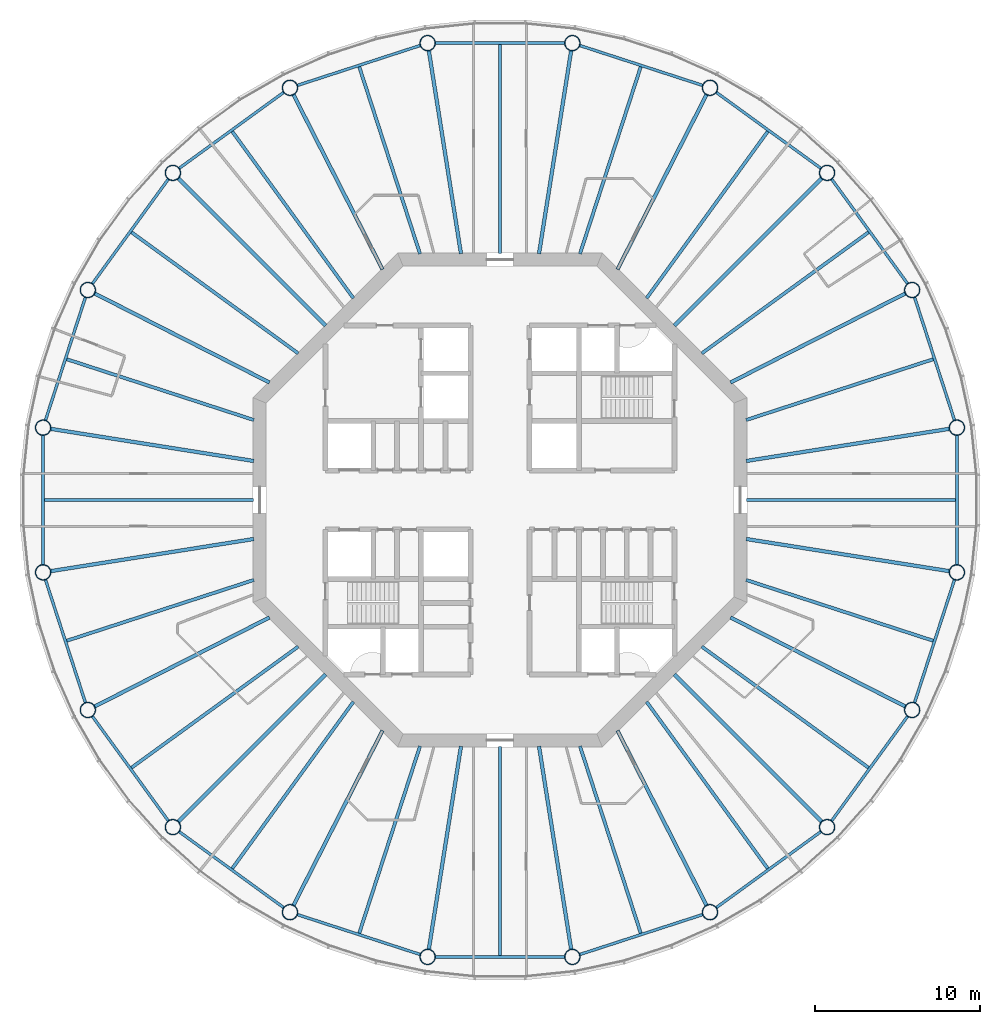
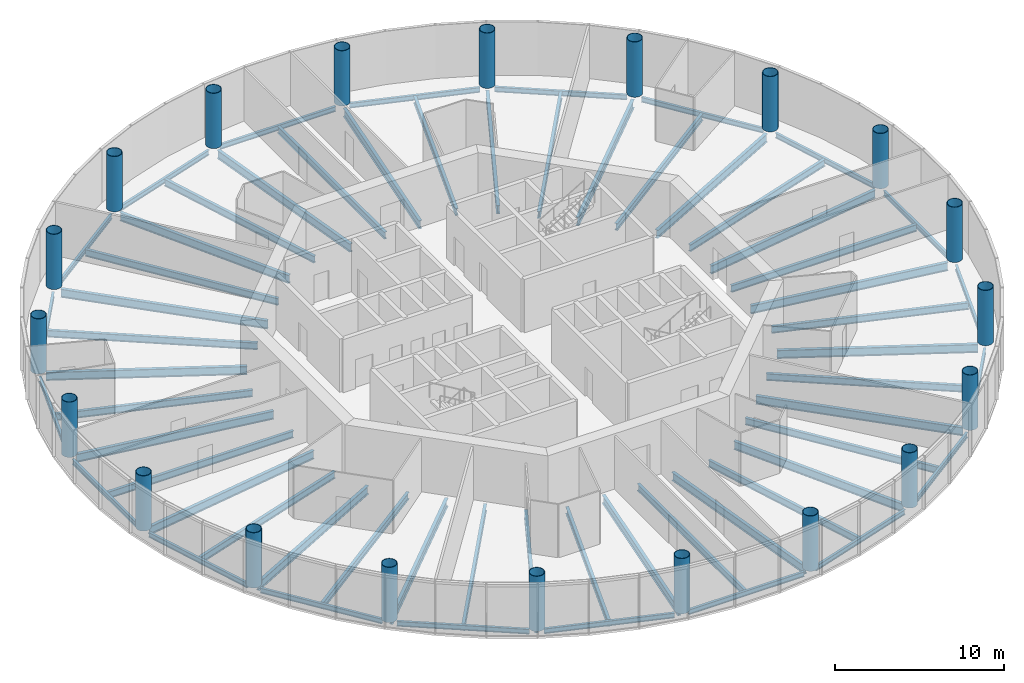
# One storey, part 1 of 13: 60 beams, 20 columns.
"""IFC4 building model written with IfcOpenShell, lengths in metres."""

from ifc_helpers import new_model, si_unit, direction, frame, origin, origin_2d, place, context, subcontext, project, spatial, circle, hollow_circle, i_section, extrude, material, material_profile, profile_set, type_object, element, save


model = new_model("IFC4")

# Units and contexts
model_context = context("Model", 3, precision=1e-05, world=origin(), true_north=direction((0.0, 1.0)))
body_context = subcontext(model_context, "Body", "Model", "MODEL_VIEW")
ifc_project = project(units=[si_unit("LENGTHUNIT", "METRE"), si_unit("AREAUNIT", "SQUARE_METRE"), si_unit("VOLUMEUNIT", "CUBIC_METRE"), si_unit("PLANEANGLEUNIT", "RADIAN"), si_unit("MASSUNIT", "GRAM", prefix="KILO")], contexts=[model_context])

# Site, building, storey
site_placement = place(None, origin())
site = spatial("IfcSite", under=ifc_project, at=site_placement, CompositionType="ELEMENT")
building_placement = place(site_placement, origin())
building = spatial("IfcBuilding", under=site, at=building_placement, Name="Entoto Ring Tower", CompositionType="ELEMENT")
storey_placement = place(building_placement, frame((0.0, 0.0, 286.0)))
storey = spatial("IfcBuildingStorey", under=building, at=storey_placement, Name="L65", CompositionType="ELEMENT", Elevation=286.0)

# Columns
ifc_material_1 = material(Name="Steel S355", Category="steel")
ifc_material_profile_1 = material_profile(ifc_material_1, hollow_circle(Radius=0.47509765625, WallThickness=0.034912109375, at=origin_2d()), Name="CHS 950 x 35")
ifc_material_2 = material(Name="Concrete C60/75", Category="concrete")
ifc_material_profile_2 = material_profile(ifc_material_2, circle(Radius=0.43994140625, at=origin_2d()), Name="Concrete C60/75 infill")
ifc_profile_set_1 = profile_set([ifc_material_profile_1, ifc_material_profile_2], Name="Steel S355")
column_type = type_object("IfcColumnType", Name="Ring column 950 x 35 concrete-filled tube", PredefinedType="COLUMN", material=ifc_profile_set_1)
for number, where, z_axis, x_axis, name in (
    (1, (117.754150390625, 84.395751953125, 0.0), (0.0, 0.0, 1.0), (1.0, 0.0, 0.0), "RC5 R01"),
    (2, (115.037353515625, 92.757080078125, 0.0), (0.0, 0.0, 1.0), (1.0, 0.0, 0.0), "RC5 R02"),
    (3, (109.86962890625, 99.86962890625, 0.0), (0.0, 0.0, 1.0), (1.0, 0.0, 0.0), "RC5 R03"),
    (4, (102.757080078125, 105.037353515625, 0.0), (0.0, 0.0, 1.0), (1.0, 0.0, 0.0), "RC5 R04"),
    (5, (94.395751953125, 107.754150390625, 0.0), (0.0, 0.0, 1.0), (1.0, 0.0, 0.0), "RC5 R05"),
    (6, (85.604248046875, 107.754150390625, 0.0), (0.0, 0.0, 1.0), (1.0, 0.0, 0.0), "RC5 R06"),
    (7, (77.242919921875, 105.037353515625, 0.0), (0.0, 0.0, 1.0), (1.0, 0.0, 0.0), "RC5 R07"),
    (8, (70.13037109375, 99.86962890625, 0.0), (0.0, 0.0, 1.0), (1.0, 0.0, 0.0), "RC5 R08"),
    (9, (64.962646484375, 92.757080078125, 0.0), (0.0, 0.0, 1.0), (1.0, 0.0, 0.0), "RC5 R09"),
    (10, (62.245849609375, 84.395751953125, 0.0), (0.0, 0.0, 1.0), (1.0, 0.0, 0.0), "RC5 R10"),
    (11, (62.245849609375, 75.604248046875, 0.0), (0.0, 0.0, 1.0), (1.0, 0.0, 0.0), "RC5 R11"),
    (12, (64.962646484375, 67.242919921875, 0.0), (0.0, 0.0, 1.0), (1.0, 0.0, 0.0), "RC5 R12"),
    (13, (70.13037109375, 60.13037109375, 0.0), (0.0, 0.0, 1.0), (1.0, 0.0, 0.0), "RC5 R13"),
    (14, (77.242919921875, 54.962646484375, 0.0), (0.0, 0.0, 1.0), (1.0, 0.0, 0.0), "RC5 R14"),
    (15, (85.604248046875, 52.245849609375, 0.0), (0.0, 0.0, 1.0), (1.0, 0.0, 0.0), "RC5 R15"),
    (16, (94.395751953125, 52.245849609375, 0.0), (0.0, 0.0, 1.0), (1.0, 0.0, 0.0), "RC5 R16"),
    (17, (102.757080078125, 54.962646484375, 0.0), (0.0, 0.0, 1.0), (1.0, 0.0, 0.0), "RC5 R17"),
    (18, (109.86962890625, 60.13037109375, 0.0), (0.0, 0.0, 1.0), (1.0, 0.0, 0.0), "RC5 R18"),
    (19, (115.037353515625, 67.242919921875, 0.0), (0.0, 0.0, 1.0), (1.0, 0.0, 0.0), "RC5 R19"),
    (20, (117.754150390625, 75.604248046875, 0.0), (0.0, 0.0, 1.0), (1.0, 0.0, 0.0), "RC5 R20"),
):
    element("IfcColumn", number, at=place(storey_placement, frame(where, z_axis=z_axis, x_axis=x_axis)), inside=storey, type_object=column_type, Name=name, PredefinedType="COLUMN", context=body_context, shape_type="SweptSolid", body=[
        extrude(hollow_circle(Radius=0.47509765625, WallThickness=0.034912109375, at=origin_2d()), origin(), (0.0, 0.0, 1.0), 4.0),
    ])

# Beams
ifc_material_3 = material(Name="Steel S355", Category="steel")
ifc_material_profile_3 = material_profile(ifc_material_3, i_section(OverallWidth=0.169921875, OverallDepth=0.360107421875, WebThickness=0.008056640625, FlangeThickness=0.0126953125, FilletRadius=0.01806640625, at=origin_2d()), Name="IPE 360")
ifc_profile_set_2 = profile_set([ifc_material_profile_3], Name="Steel S355")
beam_type_1 = type_object("IfcBeamType", Name="Edge beam IPE 360", PredefinedType="SPANDREL", material=ifc_profile_set_2)
beam_1_placement = place(storey_placement, frame((117.61572265625, 84.8212890625, -0.330078125), z_axis=(-0.309002883506, 0.951061101079, 0.0), x_axis=(-0.951061101079, -0.309002883506, 0.0)))
element("IfcBeam", 21, at=beam_1_placement, inside=storey, type_object=beam_type_1, Name="Edge beam L65 01", PredefinedType="SPANDREL", context=body_context, shape_type="SweptSolid", body=[
    extrude(i_section(OverallWidth=0.169921875, OverallDepth=0.360107421875, WebThickness=0.008056640625, FlangeThickness=0.0126953125, FilletRadius=0.01806640625, at=origin_2d()), origin(), (0.0, 0.0, 1.0), 7.89697265625),
])
for number, where, z_axis, x_axis, name in (
    (22, (114.7744140625, 93.118896484375, -0.330078125), (-0.587787449408, 0.809015398073, 0.0), (-0.809015398073, -0.587787449408, 0.0), "Edge beam L65 02"),
    (23, (109.5078125, 100.132568359375, -0.330078125), (-0.809015398073, 0.587787449408, 0.0), (-0.587787449408, -0.809015398073, 0.0), "Edge beam L65 03"),
):
    element("IfcBeam", number, at=place(storey_placement, frame(where, z_axis=z_axis, x_axis=x_axis)), inside=storey, type_object=beam_type_1, Name=name, PredefinedType="SPANDREL", context=body_context, shape_type="SweptSolid", body=[
        extrude(i_section(OverallWidth=0.169921875, OverallDepth=0.360107421875, WebThickness=0.008056640625, FlangeThickness=0.0126953125, FilletRadius=0.01806640625, at=origin_2d()), origin(), (0.0, 0.0, 1.0), 7.897216796875),
    ])
for number, where, z_axis, x_axis, name in (
    (24, (102.331787109375, 105.175537109375, -0.330078125), (-0.951061101079, 0.309002883506, 0.0), (-0.309002883506, -0.951061101079, 0.0), "Edge beam L65 04"),
    (25, (93.948486328125, 107.754150390625, -0.330078125), (-1.0, 0.0, 0.0), (0.0, -1.0, 0.0), "Edge beam L65 05"),
    (26, (85.1787109375, 107.61572265625, -0.330078125), (-0.951061101079, -0.309002883506, 0.0), (0.309002883506, -0.951061101079, 0.0), "Edge beam L65 06"),
):
    element("IfcBeam", number, at=place(storey_placement, frame(where, z_axis=z_axis, x_axis=x_axis)), inside=storey, type_object=beam_type_1, Name=name, PredefinedType="SPANDREL", context=body_context, shape_type="SweptSolid", body=[
        extrude(i_section(OverallWidth=0.169921875, OverallDepth=0.360107421875, WebThickness=0.008056640625, FlangeThickness=0.0126953125, FilletRadius=0.01806640625, at=origin_2d()), origin(), (0.0, 0.0, 1.0), 7.89697265625),
    ])
for number, where, z_axis, x_axis, name in (
    (27, (76.881103515625, 104.7744140625, -0.330078125), (-0.809015398073, -0.587787449408, 0.0), (0.587787449408, -0.809015398073, 0.0), "Edge beam L65 07"),
    (28, (69.867431640625, 99.5078125, -0.330078125), (-0.587787449408, -0.809015398073, 0.0), (0.809015398073, -0.587787449408, 0.0), "Edge beam L65 08"),
):
    element("IfcBeam", number, at=place(storey_placement, frame(where, z_axis=z_axis, x_axis=x_axis)), inside=storey, type_object=beam_type_1, Name=name, PredefinedType="SPANDREL", context=body_context, shape_type="SweptSolid", body=[
        extrude(i_section(OverallWidth=0.169921875, OverallDepth=0.360107421875, WebThickness=0.008056640625, FlangeThickness=0.0126953125, FilletRadius=0.01806640625, at=origin_2d()), origin(), (0.0, 0.0, 1.0), 7.897216796875),
    ])
for number, where, z_axis, x_axis, name in (
    (29, (64.824462890625, 92.331787109375, -0.330078125), (-0.309002883506, -0.951061101079, 0.0), (0.951061101079, -0.309002883506, 0.0), "Edge beam L65 09"),
    (30, (62.245849609375, 83.948486328125, -0.330078125), (0.0, -1.0, 0.0), (1.0, 0.0, 0.0), "Edge beam L65 10"),
    (31, (62.38427734375, 75.1787109375, -0.330078125), (0.309002883506, -0.951061101079, 0.0), (0.951061101079, 0.309002883506, 0.0), "Edge beam L65 11"),
):
    element("IfcBeam", number, at=place(storey_placement, frame(where, z_axis=z_axis, x_axis=x_axis)), inside=storey, type_object=beam_type_1, Name=name, PredefinedType="SPANDREL", context=body_context, shape_type="SweptSolid", body=[
        extrude(i_section(OverallWidth=0.169921875, OverallDepth=0.360107421875, WebThickness=0.008056640625, FlangeThickness=0.0126953125, FilletRadius=0.01806640625, at=origin_2d()), origin(), (0.0, 0.0, 1.0), 7.89697265625),
    ])
for number, where, z_axis, x_axis, name in (
    (32, (65.2255859375, 66.881103515625, -0.330078125), (0.587787449408, -0.809015398073, 0.0), (0.809015398073, 0.587787449408, 0.0), "Edge beam L65 12"),
    (33, (70.4921875, 59.867431640625, -0.330078125), (0.809015398073, -0.587787449408, 0.0), (0.587787449408, 0.809015398073, 0.0), "Edge beam L65 13"),
):
    element("IfcBeam", number, at=place(storey_placement, frame(where, z_axis=z_axis, x_axis=x_axis)), inside=storey, type_object=beam_type_1, Name=name, PredefinedType="SPANDREL", context=body_context, shape_type="SweptSolid", body=[
        extrude(i_section(OverallWidth=0.169921875, OverallDepth=0.360107421875, WebThickness=0.008056640625, FlangeThickness=0.0126953125, FilletRadius=0.01806640625, at=origin_2d()), origin(), (0.0, 0.0, 1.0), 7.897216796875),
    ])
for number, where, z_axis, x_axis, name in (
    (34, (77.668212890625, 54.824462890625, -0.330078125), (0.951061101079, -0.309002883506, 0.0), (0.309002883506, 0.951061101079, 0.0), "Edge beam L65 14"),
    (35, (86.051513671875, 52.245849609375, -0.330078125), (1.0, 0.0, 0.0), (0.0, 1.0, 0.0), "Edge beam L65 15"),
    (36, (94.8212890625, 52.38427734375, -0.330078125), (0.951061101079, 0.309002883506, 0.0), (-0.309002883506, 0.951061101079, 0.0), "Edge beam L65 16"),
):
    element("IfcBeam", number, at=place(storey_placement, frame(where, z_axis=z_axis, x_axis=x_axis)), inside=storey, type_object=beam_type_1, Name=name, PredefinedType="SPANDREL", context=body_context, shape_type="SweptSolid", body=[
        extrude(i_section(OverallWidth=0.169921875, OverallDepth=0.360107421875, WebThickness=0.008056640625, FlangeThickness=0.0126953125, FilletRadius=0.01806640625, at=origin_2d()), origin(), (0.0, 0.0, 1.0), 7.89697265625),
    ])
for number, where, z_axis, x_axis, name in (
    (37, (103.118896484375, 55.2255859375, -0.330078125), (0.809015398073, 0.587787449408, 0.0), (-0.587787449408, 0.809015398073, 0.0), "Edge beam L65 17"),
    (38, (110.132568359375, 60.4921875, -0.330078125), (0.587787449408, 0.809015398073, 0.0), (-0.809015398073, 0.587787449408, 0.0), "Edge beam L65 18"),
):
    element("IfcBeam", number, at=place(storey_placement, frame(where, z_axis=z_axis, x_axis=x_axis)), inside=storey, type_object=beam_type_1, Name=name, PredefinedType="SPANDREL", context=body_context, shape_type="SweptSolid", body=[
        extrude(i_section(OverallWidth=0.169921875, OverallDepth=0.360107421875, WebThickness=0.008056640625, FlangeThickness=0.0126953125, FilletRadius=0.01806640625, at=origin_2d()), origin(), (0.0, 0.0, 1.0), 7.897216796875),
    ])
for number, where, z_axis, x_axis, name in (
    (39, (115.175537109375, 67.668212890625, -0.330078125), (0.309002883506, 0.951061101079, 0.0), (-0.951061101079, 0.309002883506, 0.0), "Edge beam L65 19"),
    (40, (117.754150390625, 76.051513671875, -0.330078125), (0.0, 1.0, 0.0), (-1.0, 0.0, 0.0), "Edge beam L65 20"),
):
    element("IfcBeam", number, at=place(storey_placement, frame(where, z_axis=z_axis, x_axis=x_axis)), inside=storey, type_object=beam_type_1, Name=name, PredefinedType="SPANDREL", context=body_context, shape_type="SweptSolid", body=[
        extrude(i_section(OverallWidth=0.169921875, OverallDepth=0.360107421875, WebThickness=0.008056640625, FlangeThickness=0.0126953125, FilletRadius=0.01806640625, at=origin_2d()), origin(), (0.0, 0.0, 1.0), 7.89697265625),
    ])
ifc_material_4 = material(Name="Steel S355", Category="steel")
ifc_material_profile_4 = material_profile(ifc_material_4, i_section(OverallWidth=0.219970703125, OverallDepth=0.60009765625, WebThickness=0.011962890625, FlangeThickness=0.01904296875, FilletRadius=0.02392578125, at=origin_2d()), Name="IPE 600")
ifc_profile_set_3 = profile_set([ifc_material_profile_4], Name="Steel S355")
beam_type_2 = type_object("IfcBeamType", Name="Primary floor beam IPE 600", PredefinedType="BEAM", material=ifc_profile_set_3)
beam_2_placement = place(storey_placement, frame((104.963134765625, 82.369873046875, -0.449951171875), z_axis=(0.987687519796, 0.156439647277, 0.0), x_axis=(-0.156439647277, 0.987687519796, 0.0)))
element("IfcBeam", 41, at=beam_2_placement, inside=storey, type_object=beam_type_2, Name="Primary L65 R01", PredefinedType="BEAM", context=body_context, shape_type="SweptSolid", body=[
    extrude(i_section(OverallWidth=0.219970703125, OverallDepth=0.60009765625, WebThickness=0.011962890625, FlangeThickness=0.01904296875, FilletRadius=0.02392578125, at=origin_2d()), origin(), (0.0, 0.0, 1.0), 12.50830078125),
])
beam_3_placement = place(storey_placement, frame((104.003173828125, 87.135009765625, -0.449951171875), z_axis=(0.891007666593, 0.453988257638, 0.0), x_axis=(-0.453988257638, 0.891007666593, 0.0)))
element("IfcBeam", 42, at=beam_3_placement, inside=storey, type_object=beam_type_2, Name="Primary L65 R02", PredefinedType="BEAM", context=body_context, shape_type="SweptSolid", body=[
    extrude(i_section(OverallWidth=0.219970703125, OverallDepth=0.60009765625, WebThickness=0.011962890625, FlangeThickness=0.01904296875, FilletRadius=0.02392578125, at=origin_2d()), origin(), (0.0, 0.0, 1.0), 11.941650390625),
])
beam_4_placement = place(storey_placement, frame((100.592529296875, 90.592529296875, -0.449951171875), z_axis=(0.707106781187, 0.707106781187, 0.0), x_axis=(-0.707106781187, 0.707106781187, 0.0)))
element("IfcBeam", 43, at=beam_4_placement, inside=storey, type_object=beam_type_2, Name="Primary L65 R03", PredefinedType="BEAM", context=body_context, shape_type="SweptSolid", body=[
    extrude(i_section(OverallWidth=0.219970703125, OverallDepth=0.60009765625, WebThickness=0.011962890625, FlangeThickness=0.01904296875, FilletRadius=0.02392578125, at=origin_2d()), origin(), (0.0, 0.0, 1.0), 12.677978515625),
])
beam_5_placement = place(storey_placement, frame((97.135009765625, 94.003173828125, -0.449951171875), z_axis=(0.453988257638, 0.891007666593, 0.0), x_axis=(-0.891007666593, 0.453988257638, 0.0)))
element("IfcBeam", 44, at=beam_5_placement, inside=storey, type_object=beam_type_2, Name="Primary L65 R04", PredefinedType="BEAM", context=body_context, shape_type="SweptSolid", body=[
    extrude(i_section(OverallWidth=0.219970703125, OverallDepth=0.60009765625, WebThickness=0.011962890625, FlangeThickness=0.01904296875, FilletRadius=0.02392578125, at=origin_2d()), origin(), (0.0, 0.0, 1.0), 11.941650390625),
])
for number, where, z_axis, x_axis, name in (
    (45, (92.369873046875, 94.963134765625, -0.449951171875), (0.156439647277, 0.987687519796, 0.0), (-0.987687519796, 0.156439647277, 0.0), "Primary L65 R05"),
    (46, (87.630126953125, 94.963134765625, -0.449951171875), (-0.156439647277, 0.987687519796, 0.0), (-0.987687519796, -0.156439647277, 0.0), "Primary L65 R06"),
):
    element("IfcBeam", number, at=place(storey_placement, frame(where, z_axis=z_axis, x_axis=x_axis)), inside=storey, type_object=beam_type_2, Name=name, PredefinedType="BEAM", context=body_context, shape_type="SweptSolid", body=[
        extrude(i_section(OverallWidth=0.219970703125, OverallDepth=0.60009765625, WebThickness=0.011962890625, FlangeThickness=0.01904296875, FilletRadius=0.02392578125, at=origin_2d()), origin(), (0.0, 0.0, 1.0), 12.50830078125),
    ])
beam_6_placement = place(storey_placement, frame((82.864990234375, 94.003173828125, -0.449951171875), z_axis=(-0.453988257638, 0.891007666593, 0.0), x_axis=(-0.891007666593, -0.453988257638, 0.0)))
element("IfcBeam", 47, at=beam_6_placement, inside=storey, type_object=beam_type_2, Name="Primary L65 R07", PredefinedType="BEAM", context=body_context, shape_type="SweptSolid", body=[
    extrude(i_section(OverallWidth=0.219970703125, OverallDepth=0.60009765625, WebThickness=0.011962890625, FlangeThickness=0.01904296875, FilletRadius=0.02392578125, at=origin_2d()), origin(), (0.0, 0.0, 1.0), 11.941650390625),
])
beam_7_placement = place(storey_placement, frame((79.407470703125, 90.592529296875, -0.449951171875), z_axis=(-0.707106781187, 0.707106781187, 0.0), x_axis=(-0.707106781187, -0.707106781187, 0.0)))
element("IfcBeam", 48, at=beam_7_placement, inside=storey, type_object=beam_type_2, Name="Primary L65 R08", PredefinedType="BEAM", context=body_context, shape_type="SweptSolid", body=[
    extrude(i_section(OverallWidth=0.219970703125, OverallDepth=0.60009765625, WebThickness=0.011962890625, FlangeThickness=0.01904296875, FilletRadius=0.02392578125, at=origin_2d()), origin(), (0.0, 0.0, 1.0), 12.677978515625),
])
beam_8_placement = place(storey_placement, frame((75.996826171875, 87.135009765625, -0.449951171875), z_axis=(-0.891007666593, 0.453988257638, 0.0), x_axis=(-0.453988257638, -0.891007666593, 0.0)))
element("IfcBeam", 49, at=beam_8_placement, inside=storey, type_object=beam_type_2, Name="Primary L65 R09", PredefinedType="BEAM", context=body_context, shape_type="SweptSolid", body=[
    extrude(i_section(OverallWidth=0.219970703125, OverallDepth=0.60009765625, WebThickness=0.011962890625, FlangeThickness=0.01904296875, FilletRadius=0.02392578125, at=origin_2d()), origin(), (0.0, 0.0, 1.0), 11.941650390625),
])
for number, where, z_axis, x_axis, name in (
    (50, (75.036865234375, 82.369873046875, -0.449951171875), (-0.987687519796, 0.156439647277, 0.0), (-0.156439647277, -0.987687519796, 0.0), "Primary L65 R10"),
    (51, (75.036865234375, 77.630126953125, -0.449951171875), (-0.987687519796, -0.156439647277, 0.0), (0.156439647277, -0.987687519796, 0.0), "Primary L65 R11"),
):
    element("IfcBeam", number, at=place(storey_placement, frame(where, z_axis=z_axis, x_axis=x_axis)), inside=storey, type_object=beam_type_2, Name=name, PredefinedType="BEAM", context=body_context, shape_type="SweptSolid", body=[
        extrude(i_section(OverallWidth=0.219970703125, OverallDepth=0.60009765625, WebThickness=0.011962890625, FlangeThickness=0.01904296875, FilletRadius=0.02392578125, at=origin_2d()), origin(), (0.0, 0.0, 1.0), 12.50830078125),
    ])
beam_9_placement = place(storey_placement, frame((75.996826171875, 72.864990234375, -0.449951171875), z_axis=(-0.891007666593, -0.453988257638, 0.0), x_axis=(0.453988257638, -0.891007666593, 0.0)))
element("IfcBeam", 52, at=beam_9_placement, inside=storey, type_object=beam_type_2, Name="Primary L65 R12", PredefinedType="BEAM", context=body_context, shape_type="SweptSolid", body=[
    extrude(i_section(OverallWidth=0.219970703125, OverallDepth=0.60009765625, WebThickness=0.011962890625, FlangeThickness=0.01904296875, FilletRadius=0.02392578125, at=origin_2d()), origin(), (0.0, 0.0, 1.0), 11.941650390625),
])
beam_10_placement = place(storey_placement, frame((79.407470703125, 69.407470703125, -0.449951171875), z_axis=(-0.707106781187, -0.707106781187, 0.0), x_axis=(0.707106781187, -0.707106781187, 0.0)))
element("IfcBeam", 53, at=beam_10_placement, inside=storey, type_object=beam_type_2, Name="Primary L65 R13", PredefinedType="BEAM", context=body_context, shape_type="SweptSolid", body=[
    extrude(i_section(OverallWidth=0.219970703125, OverallDepth=0.60009765625, WebThickness=0.011962890625, FlangeThickness=0.01904296875, FilletRadius=0.02392578125, at=origin_2d()), origin(), (0.0, 0.0, 1.0), 12.677978515625),
])
beam_11_placement = place(storey_placement, frame((82.864990234375, 65.996826171875, -0.449951171875), z_axis=(-0.453988257638, -0.891007666593, 0.0), x_axis=(0.891007666593, -0.453988257638, 0.0)))
element("IfcBeam", 54, at=beam_11_placement, inside=storey, type_object=beam_type_2, Name="Primary L65 R14", PredefinedType="BEAM", context=body_context, shape_type="SweptSolid", body=[
    extrude(i_section(OverallWidth=0.219970703125, OverallDepth=0.60009765625, WebThickness=0.011962890625, FlangeThickness=0.01904296875, FilletRadius=0.02392578125, at=origin_2d()), origin(), (0.0, 0.0, 1.0), 11.941650390625),
])
for number, where, z_axis, x_axis, name in (
    (55, (87.630126953125, 65.036865234375, -0.449951171875), (-0.156439647277, -0.987687519796, 0.0), (0.987687519796, -0.156439647277, 0.0), "Primary L65 R15"),
    (56, (92.369873046875, 65.036865234375, -0.449951171875), (0.156439647277, -0.987687519796, 0.0), (0.987687519796, 0.156439647277, 0.0), "Primary L65 R16"),
):
    element("IfcBeam", number, at=place(storey_placement, frame(where, z_axis=z_axis, x_axis=x_axis)), inside=storey, type_object=beam_type_2, Name=name, PredefinedType="BEAM", context=body_context, shape_type="SweptSolid", body=[
        extrude(i_section(OverallWidth=0.219970703125, OverallDepth=0.60009765625, WebThickness=0.011962890625, FlangeThickness=0.01904296875, FilletRadius=0.02392578125, at=origin_2d()), origin(), (0.0, 0.0, 1.0), 12.50830078125),
    ])
beam_12_placement = place(storey_placement, frame((97.135009765625, 65.996826171875, -0.449951171875), z_axis=(0.453988257638, -0.891007666593, 0.0), x_axis=(0.891007666593, 0.453988257638, 0.0)))
element("IfcBeam", 57, at=beam_12_placement, inside=storey, type_object=beam_type_2, Name="Primary L65 R17", PredefinedType="BEAM", context=body_context, shape_type="SweptSolid", body=[
    extrude(i_section(OverallWidth=0.219970703125, OverallDepth=0.60009765625, WebThickness=0.011962890625, FlangeThickness=0.01904296875, FilletRadius=0.02392578125, at=origin_2d()), origin(), (0.0, 0.0, 1.0), 11.941650390625),
])
beam_13_placement = place(storey_placement, frame((100.592529296875, 69.407470703125, -0.449951171875), z_axis=(0.707106781187, -0.707106781187, 0.0), x_axis=(0.707106781187, 0.707106781187, 0.0)))
element("IfcBeam", 58, at=beam_13_placement, inside=storey, type_object=beam_type_2, Name="Primary L65 R18", PredefinedType="BEAM", context=body_context, shape_type="SweptSolid", body=[
    extrude(i_section(OverallWidth=0.219970703125, OverallDepth=0.60009765625, WebThickness=0.011962890625, FlangeThickness=0.01904296875, FilletRadius=0.02392578125, at=origin_2d()), origin(), (0.0, 0.0, 1.0), 12.677978515625),
])
beam_14_placement = place(storey_placement, frame((104.003173828125, 72.864990234375, -0.449951171875), z_axis=(0.891007666593, -0.453988257638, 0.0), x_axis=(0.453988257638, 0.891007666593, 0.0)))
element("IfcBeam", 59, at=beam_14_placement, inside=storey, type_object=beam_type_2, Name="Primary L65 R19", PredefinedType="BEAM", context=body_context, shape_type="SweptSolid", body=[
    extrude(i_section(OverallWidth=0.219970703125, OverallDepth=0.60009765625, WebThickness=0.011962890625, FlangeThickness=0.01904296875, FilletRadius=0.02392578125, at=origin_2d()), origin(), (0.0, 0.0, 1.0), 11.941650390625),
])
beam_15_placement = place(storey_placement, frame((104.963134765625, 77.630126953125, -0.449951171875), z_axis=(0.987687519796, -0.156439647277, 0.0), x_axis=(0.156439647277, 0.987687519796, 0.0)))
element("IfcBeam", 60, at=beam_15_placement, inside=storey, type_object=beam_type_2, Name="Primary L65 R20", PredefinedType="BEAM", context=body_context, shape_type="SweptSolid", body=[
    extrude(i_section(OverallWidth=0.219970703125, OverallDepth=0.60009765625, WebThickness=0.011962890625, FlangeThickness=0.01904296875, FilletRadius=0.02392578125, at=origin_2d()), origin(), (0.0, 0.0, 1.0), 12.50830078125),
])
ifc_material_5 = material(Name="Steel S355", Category="steel")
ifc_material_profile_5 = material_profile(ifc_material_5, i_section(OverallWidth=0.199951171875, OverallDepth=0.5, WebThickness=0.01025390625, FlangeThickness=0.01611328125, FilletRadius=0.02099609375, at=origin_2d()), Name="IPE 500")
ifc_profile_set_4 = profile_set([ifc_material_profile_5], Name="Steel S355")
beam_type_3 = type_object("IfcBeamType", Name="Secondary floor beam IPE 500", PredefinedType="JOIST", material=ifc_profile_set_4)
beam_16_placement = place(storey_placement, frame((104.9501953125, 84.857666015625, -0.39990234375), z_axis=(0.951056587506, 0.30901677521, 0.0), x_axis=(-0.30901677521, 0.951056587506, 0.0)))
element("IfcBeam", 61, at=beam_16_placement, inside=storey, type_object=beam_type_3, Name="Secondary beam L65 01", PredefinedType="JOIST", context=body_context, shape_type="SweptSolid", body=[
    extrude(i_section(OverallWidth=0.199951171875, OverallDepth=0.5, WebThickness=0.01025390625, FlangeThickness=0.01611328125, FilletRadius=0.02099609375, at=origin_2d()), origin(), (0.0, 0.0, 1.0), 11.94970703125),
])
for number, where, z_axis, x_axis, name in (
    (62, (102.257568359375, 88.905517578125, -0.39990234375), (0.80901431041, 0.587788946436, 0.0), (-0.587788946436, 0.80901431041, 0.0), "Secondary beam L65 02"),
    (63, (98.905517578125, 92.257568359375, -0.39990234375), (0.587788946436, 0.80901431041, 0.0), (-0.80901431041, 0.587788946436, 0.0), "Secondary beam L65 03"),
):
    element("IfcBeam", number, at=place(storey_placement, frame(where, z_axis=z_axis, x_axis=x_axis)), inside=storey, type_object=beam_type_3, Name=name, PredefinedType="JOIST", context=body_context, shape_type="SweptSolid", body=[
        extrude(i_section(OverallWidth=0.199951171875, OverallDepth=0.5, WebThickness=0.01025390625, FlangeThickness=0.01611328125, FilletRadius=0.02099609375, at=origin_2d()), origin(), (0.0, 0.0, 1.0), 12.51806640625),
    ])
beam_17_placement = place(storey_placement, frame((94.857666015625, 94.9501953125, -0.39990234375), z_axis=(0.30901677521, 0.951056587506, 0.0), x_axis=(-0.951056587506, 0.30901677521, 0.0)))
element("IfcBeam", 64, at=beam_17_placement, inside=storey, type_object=beam_type_3, Name="Secondary beam L65 04", PredefinedType="JOIST", context=body_context, shape_type="SweptSolid", body=[
    extrude(i_section(OverallWidth=0.199951171875, OverallDepth=0.5, WebThickness=0.01025390625, FlangeThickness=0.01611328125, FilletRadius=0.02099609375, at=origin_2d()), origin(), (0.0, 0.0, 1.0), 11.94970703125),
])
beam_18_placement = place(storey_placement, frame((90.0, 94.97998046875, -0.39990234375), z_axis=(0.0, 1.0, 0.0), x_axis=(-1.0, 0.0, 0.0)))
element("IfcBeam", 65, at=beam_18_placement, inside=storey, type_object=beam_type_3, Name="Secondary beam L65 05", PredefinedType="JOIST", context=body_context, shape_type="SweptSolid", body=[
    extrude(i_section(OverallWidth=0.199951171875, OverallDepth=0.5, WebThickness=0.01025390625, FlangeThickness=0.01611328125, FilletRadius=0.02099609375, at=origin_2d()), origin(), (0.0, 0.0, 1.0), 12.68896484375),
])
beam_19_placement = place(storey_placement, frame((85.142333984375, 94.9501953125, -0.39990234375), z_axis=(-0.30901677521, 0.951056587506, 0.0), x_axis=(-0.951056587506, -0.30901677521, 0.0)))
element("IfcBeam", 66, at=beam_19_placement, inside=storey, type_object=beam_type_3, Name="Secondary beam L65 06", PredefinedType="JOIST", context=body_context, shape_type="SweptSolid", body=[
    extrude(i_section(OverallWidth=0.199951171875, OverallDepth=0.5, WebThickness=0.01025390625, FlangeThickness=0.01611328125, FilletRadius=0.02099609375, at=origin_2d()), origin(), (0.0, 0.0, 1.0), 11.94970703125),
])
for number, where, z_axis, x_axis, name in (
    (67, (81.094482421875, 92.257568359375, -0.39990234375), (-0.587788946436, 0.80901431041, 0.0), (-0.80901431041, -0.587788946436, 0.0), "Secondary beam L65 07"),
    (68, (77.742431640625, 88.905517578125, -0.39990234375), (-0.80901431041, 0.587788946436, 0.0), (-0.587788946436, -0.80901431041, 0.0), "Secondary beam L65 08"),
):
    element("IfcBeam", number, at=place(storey_placement, frame(where, z_axis=z_axis, x_axis=x_axis)), inside=storey, type_object=beam_type_3, Name=name, PredefinedType="JOIST", context=body_context, shape_type="SweptSolid", body=[
        extrude(i_section(OverallWidth=0.199951171875, OverallDepth=0.5, WebThickness=0.01025390625, FlangeThickness=0.01611328125, FilletRadius=0.02099609375, at=origin_2d()), origin(), (0.0, 0.0, 1.0), 12.51806640625),
    ])
beam_20_placement = place(storey_placement, frame((75.0498046875, 84.857666015625, -0.39990234375), z_axis=(-0.951056587506, 0.30901677521, 0.0), x_axis=(-0.30901677521, -0.951056587506, 0.0)))
element("IfcBeam", 69, at=beam_20_placement, inside=storey, type_object=beam_type_3, Name="Secondary beam L65 09", PredefinedType="JOIST", context=body_context, shape_type="SweptSolid", body=[
    extrude(i_section(OverallWidth=0.199951171875, OverallDepth=0.5, WebThickness=0.01025390625, FlangeThickness=0.01611328125, FilletRadius=0.02099609375, at=origin_2d()), origin(), (0.0, 0.0, 1.0), 11.94970703125),
])
beam_21_placement = place(storey_placement, frame((75.02001953125, 80.0, -0.39990234375), z_axis=(-1.0, 0.0, 0.0), x_axis=(0.0, -1.0, 0.0)))
element("IfcBeam", 70, at=beam_21_placement, inside=storey, type_object=beam_type_3, Name="Secondary beam L65 10", PredefinedType="JOIST", context=body_context, shape_type="SweptSolid", body=[
    extrude(i_section(OverallWidth=0.199951171875, OverallDepth=0.5, WebThickness=0.01025390625, FlangeThickness=0.01611328125, FilletRadius=0.02099609375, at=origin_2d()), origin(), (0.0, 0.0, 1.0), 12.68896484375),
])
beam_22_placement = place(storey_placement, frame((75.0498046875, 75.142333984375, -0.39990234375), z_axis=(-0.951056587506, -0.30901677521, 0.0), x_axis=(0.30901677521, -0.951056587506, 0.0)))
element("IfcBeam", 71, at=beam_22_placement, inside=storey, type_object=beam_type_3, Name="Secondary beam L65 11", PredefinedType="JOIST", context=body_context, shape_type="SweptSolid", body=[
    extrude(i_section(OverallWidth=0.199951171875, OverallDepth=0.5, WebThickness=0.01025390625, FlangeThickness=0.01611328125, FilletRadius=0.02099609375, at=origin_2d()), origin(), (0.0, 0.0, 1.0), 11.94970703125),
])
for number, where, z_axis, x_axis, name in (
    (72, (77.742431640625, 71.094482421875, -0.39990234375), (-0.80901431041, -0.587788946436, 0.0), (0.587788946436, -0.80901431041, 0.0), "Secondary beam L65 12"),
    (73, (81.094482421875, 67.742431640625, -0.39990234375), (-0.587788946436, -0.80901431041, 0.0), (0.80901431041, -0.587788946436, 0.0), "Secondary beam L65 13"),
):
    element("IfcBeam", number, at=place(storey_placement, frame(where, z_axis=z_axis, x_axis=x_axis)), inside=storey, type_object=beam_type_3, Name=name, PredefinedType="JOIST", context=body_context, shape_type="SweptSolid", body=[
        extrude(i_section(OverallWidth=0.199951171875, OverallDepth=0.5, WebThickness=0.01025390625, FlangeThickness=0.01611328125, FilletRadius=0.02099609375, at=origin_2d()), origin(), (0.0, 0.0, 1.0), 12.51806640625),
    ])
beam_23_placement = place(storey_placement, frame((85.142333984375, 65.0498046875, -0.39990234375), z_axis=(-0.30901677521, -0.951056587506, 0.0), x_axis=(0.951056587506, -0.30901677521, 0.0)))
element("IfcBeam", 74, at=beam_23_placement, inside=storey, type_object=beam_type_3, Name="Secondary beam L65 14", PredefinedType="JOIST", context=body_context, shape_type="SweptSolid", body=[
    extrude(i_section(OverallWidth=0.199951171875, OverallDepth=0.5, WebThickness=0.01025390625, FlangeThickness=0.01611328125, FilletRadius=0.02099609375, at=origin_2d()), origin(), (0.0, 0.0, 1.0), 11.94970703125),
])
beam_24_placement = place(storey_placement, frame((90.0, 65.02001953125, -0.39990234375), z_axis=(0.0, -1.0, 0.0), x_axis=(1.0, 0.0, 0.0)))
element("IfcBeam", 75, at=beam_24_placement, inside=storey, type_object=beam_type_3, Name="Secondary beam L65 15", PredefinedType="JOIST", context=body_context, shape_type="SweptSolid", body=[
    extrude(i_section(OverallWidth=0.199951171875, OverallDepth=0.5, WebThickness=0.01025390625, FlangeThickness=0.01611328125, FilletRadius=0.02099609375, at=origin_2d()), origin(), (0.0, 0.0, 1.0), 12.68896484375),
])
beam_25_placement = place(storey_placement, frame((94.857666015625, 65.0498046875, -0.39990234375), z_axis=(0.30901677521, -0.951056587506, 0.0), x_axis=(0.951056587506, 0.30901677521, 0.0)))
element("IfcBeam", 76, at=beam_25_placement, inside=storey, type_object=beam_type_3, Name="Secondary beam L65 16", PredefinedType="JOIST", context=body_context, shape_type="SweptSolid", body=[
    extrude(i_section(OverallWidth=0.199951171875, OverallDepth=0.5, WebThickness=0.01025390625, FlangeThickness=0.01611328125, FilletRadius=0.02099609375, at=origin_2d()), origin(), (0.0, 0.0, 1.0), 11.94970703125),
])
for number, where, z_axis, x_axis, name in (
    (77, (98.905517578125, 67.742431640625, -0.39990234375), (0.587788946436, -0.80901431041, 0.0), (0.80901431041, 0.587788946436, 0.0), "Secondary beam L65 17"),
    (78, (102.257568359375, 71.094482421875, -0.39990234375), (0.80901431041, -0.587788946436, 0.0), (0.587788946436, 0.80901431041, 0.0), "Secondary beam L65 18"),
):
    element("IfcBeam", number, at=place(storey_placement, frame(where, z_axis=z_axis, x_axis=x_axis)), inside=storey, type_object=beam_type_3, Name=name, PredefinedType="JOIST", context=body_context, shape_type="SweptSolid", body=[
        extrude(i_section(OverallWidth=0.199951171875, OverallDepth=0.5, WebThickness=0.01025390625, FlangeThickness=0.01611328125, FilletRadius=0.02099609375, at=origin_2d()), origin(), (0.0, 0.0, 1.0), 12.51806640625),
    ])
beam_26_placement = place(storey_placement, frame((104.9501953125, 75.142333984375, -0.39990234375), z_axis=(0.951056587506, -0.30901677521, 0.0), x_axis=(0.30901677521, 0.951056587506, 0.0)))
element("IfcBeam", 79, at=beam_26_placement, inside=storey, type_object=beam_type_3, Name="Secondary beam L65 19", PredefinedType="JOIST", context=body_context, shape_type="SweptSolid", body=[
    extrude(i_section(OverallWidth=0.199951171875, OverallDepth=0.5, WebThickness=0.01025390625, FlangeThickness=0.01611328125, FilletRadius=0.02099609375, at=origin_2d()), origin(), (0.0, 0.0, 1.0), 11.94970703125),
])
beam_27_placement = place(storey_placement, frame((104.97998046875, 80.0, -0.39990234375), z_axis=(1.0, 0.0, 0.0), x_axis=(0.0, 1.0, 0.0)))
element("IfcBeam", 80, at=beam_27_placement, inside=storey, type_object=beam_type_3, Name="Secondary beam L65 20", PredefinedType="JOIST", context=body_context, shape_type="SweptSolid", body=[
    extrude(i_section(OverallWidth=0.199951171875, OverallDepth=0.5, WebThickness=0.01025390625, FlangeThickness=0.01611328125, FilletRadius=0.02099609375, at=origin_2d()), origin(), (0.0, 0.0, 1.0), 12.68896484375),
])

save(model, "model.ifc")
